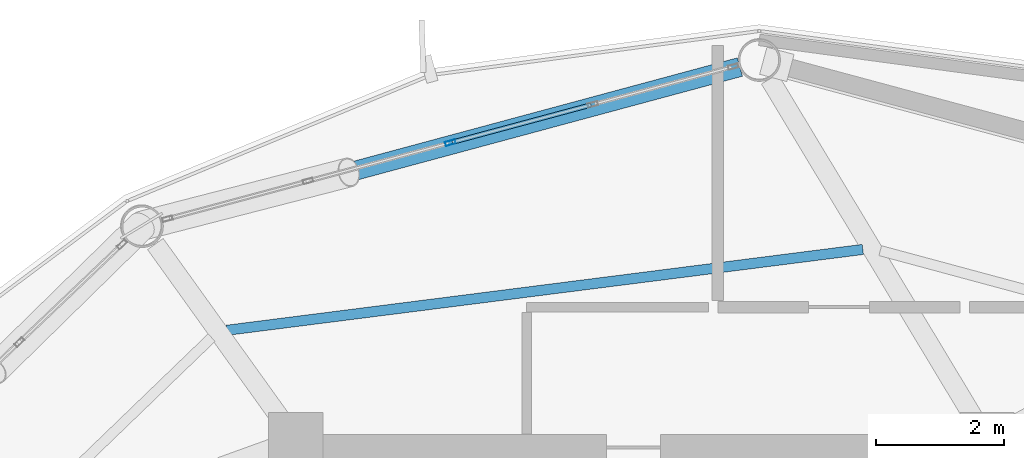
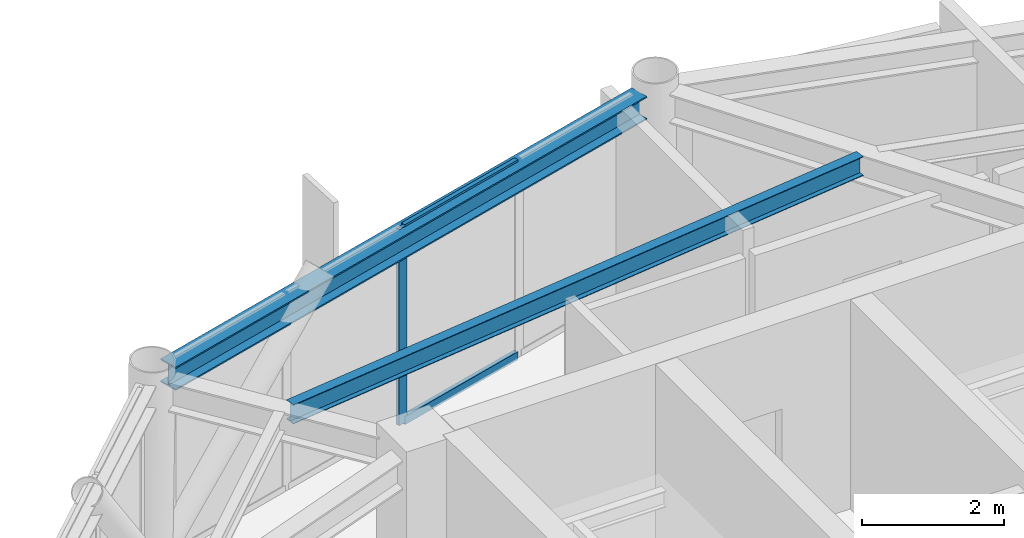
# One storey, part 19 of 28: 3 members, 2 beams, 1 element without a shape of its own.
"""IFC4 building model written with IfcOpenShell, lengths in metres."""

from ifc_helpers import new_model, si_unit, direction, frame, origin, origin_2d, place, context, subcontext, project, spatial, hollow_rectangle, i_section, extrude, material, layer, layer_set, material_profile, profile_set, type_object, element, aggregate, save


model = new_model("IFC4")

# Units and contexts
model_context = context("Model", 3, precision=1e-05, world=origin(), true_north=direction((0.0, 1.0)))
body_context = subcontext(model_context, "Body", "Model", "MODEL_VIEW")
ifc_project = project(units=[si_unit("LENGTHUNIT", "METRE"), si_unit("AREAUNIT", "SQUARE_METRE"), si_unit("VOLUMEUNIT", "CUBIC_METRE"), si_unit("PLANEANGLEUNIT", "RADIAN"), si_unit("MASSUNIT", "GRAM", prefix="KILO")], contexts=[model_context])

# Site, building, storey
site_placement = place(None, origin())
site = spatial("IfcSite", under=ifc_project, at=site_placement, CompositionType="ELEMENT")
building_placement = place(site_placement, origin())
building = spatial("IfcBuilding", under=site, at=building_placement, Name="Varnakorn Sky Granary", CompositionType="ELEMENT")
storey_placement = place(building_placement, frame((0.0, 0.0, 193.199951171875)))
storey = spatial("IfcBuildingStorey", under=building, at=storey_placement, Name="L48", CompositionType="ELEMENT", Elevation=193.199951171875)

# Beams
ifc_material_1 = material(Name="Steel S355JR", Category="steel")
ifc_material_profile_1 = material_profile(ifc_material_1, i_section(OverallWidth=0.159912109375, OverallDepth=0.330078125, WebThickness=0.007568359375, FlangeThickness=0.011474609375, at=origin_2d()), Name="IPE 330")
ifc_profile_set_1 = profile_set([ifc_material_profile_1], Name="Steel S355JR")
beam_type_1 = type_object("IfcBeamType", Name="BM-SEC-Z4", PredefinedType="BEAM", material=ifc_profile_set_1)
beam_1_placement = place(storey_placement, frame((6.472900390625, 15.6044921875, 3.195068359375), z_axis=(-0.992018305808, -0.126093936978, 0.0), x_axis=(0.126093936978, -0.992018305808, 0.0)))
element("IfcBeam", 1, at=beam_1_placement, inside=storey, type_object=beam_type_1, Name="Secondary Floor Chord Beam MSB04 L48", PredefinedType="BEAM", context=body_context, shape_type="SweptSolid", body=[
    extrude(i_section(OverallWidth=0.159912109375, OverallDepth=0.330078125, WebThickness=0.007568359375, FlangeThickness=0.011474609375, at=origin_2d()), origin(), (0.0, 0.0, 1.0), 10.052734375),
])
ifc_material_profile_2 = material_profile(ifc_material_1, i_section(OverallWidth=0.300048828125, OverallDepth=0.39990234375, WebThickness=0.013427734375, FlangeThickness=0.02392578125, at=origin_2d()), Name="HE 400 B")
ifc_profile_set_2 = profile_set([ifc_material_profile_2], Name="Steel S355JR")
beam_type_2 = type_object("IfcBeamType", Name="BM-SPD-Z4", PredefinedType="SPANDREL", material=ifc_profile_set_2)
beam_2_placement = place(storey_placement, frame((4.5458984375, 18.465087890625, 3.16015625), z_axis=(-0.965557364006, -0.260190270405, 0.0), x_axis=(0.260190270405, -0.965557364006, 0.0)))
element("IfcBeam", 2, at=beam_2_placement, inside=storey, type_object=beam_type_2, Name="Perimeter Spandrel Ring Beam RB04 L48", PredefinedType="SPANDREL", context=body_context, shape_type="SweptSolid", body=[
    extrude(i_section(OverallWidth=0.300048828125, OverallDepth=0.39990234375, WebThickness=0.013427734375, FlangeThickness=0.02392578125, at=origin_2d()), origin(), (0.0, 0.0, 1.0), 9.369140625),
])

# Curtain wall, members
ifc_material_2 = material(Name="Anodised Bronze Aluminium Alloy 6063-T6", Category="aluminium")
ifc_layer = layer(ifc_material_2, 0.169921875, Name="Anodised Bronze Aluminium Alloy 6063-T6")
ifc_layer_set = layer_set([ifc_layer], Name="Anodised Bronze Aluminium Alloy 6063-T6")
curtain_wall_type = type_object("IfcCurtainWallType", Name="CW-LAB-1", PredefinedType="USERDEFINED", material=ifc_layer_set)
curtain_wall_placement = place(storey_placement, origin())
curtain_wall = element("IfcCurtainWall", 3, at=curtain_wall_placement, inside=storey, type_object=curtain_wall_type, Name="Unitised Curtain Wall CW5 CW-L48-B04", ObjectType="CURTAIN WALL", PredefinedType="USERDEFINED")
ifc_material_profile_3 = material_profile(ifc_material_2, hollow_rectangle(XDim=0.06494140625, YDim=0.159912109375, WallThickness=0.00341796875, at=origin_2d()), Name="ALU MULL 65x160")
ifc_profile_set_3 = profile_set([ifc_material_profile_3], Name="Anodised Bronze Aluminium Alloy 6063-T6")
member_type_1 = type_object("IfcMemberType", Name="CW-LAB-1-MULL", PredefinedType="MULLION", material=ifc_profile_set_3)
member_1_placement = place(storey_placement, frame((0.006103515625, 17.27783203125, 0.0), z_axis=(0.0, 0.0, 1.0), x_axis=(-0.259789749164, 0.965665204007, 0.0)))
member_1 = element("IfcMember", 4, at=member_1_placement, type_object=member_type_1, Name="CW5 mullion 3", PredefinedType="MULLION", context=body_context, shape_type="SweptSolid", body=[
    extrude(hollow_rectangle(XDim=0.06494140625, YDim=0.159912109375, WallThickness=0.00341796875, at=origin_2d()), origin(), (0.0, 0.0, 1.0), 3.360107421875),
])
ifc_material_profile_4 = material_profile(ifc_material_2, hollow_rectangle(XDim=0.070068359375, YDim=0.139892578125, WallThickness=0.00341796875, at=origin_2d()), Name="ALU TRAN 70x140")
ifc_profile_set_4 = profile_set([ifc_material_profile_4], Name="Anodised Bronze Aluminium Alloy 6063-T6")
member_type_2 = type_object("IfcMemberType", Name="CW-LAB-1-TRAN", PredefinedType="USERDEFINED", material=ifc_profile_set_4)
member_2_placement = place(storey_placement, frame((0.037353515625, 17.286376953125, 0.03515625), z_axis=(0.96567026192, 0.259770947651, 0.0), x_axis=(-0.259770947651, 0.96567026192, 0.0)))
member_2 = element("IfcMember", 5, at=member_2_placement, type_object=member_type_2, Name="CW5 transom 3.1", ObjectType="TRANSOM", PredefinedType="USERDEFINED", context=body_context, shape_type="SweptSolid", body=[
    extrude(hollow_rectangle(XDim=0.070068359375, YDim=0.139892578125, WallThickness=0.00341796875, at=origin_2d()), origin(), (0.0, 0.0, 1.0), 2.248046875),
])
member_3_placement = place(storey_placement, frame((0.037353515625, 17.286376953125, 3.324951171875), z_axis=(0.96567026192, 0.259770947651, 0.0), x_axis=(-0.259770947651, 0.96567026192, 0.0)))
member_3 = element("IfcMember", 6, at=member_3_placement, type_object=member_type_2, Name="CW5 transom 3.2", ObjectType="TRANSOM", PredefinedType="USERDEFINED", context=body_context, shape_type="SweptSolid", body=[
    extrude(hollow_rectangle(XDim=0.070068359375, YDim=0.139892578125, WallThickness=0.00341796875, at=origin_2d()), origin(), (0.0, 0.0, 1.0), 2.248046875),
])
aggregate(curtain_wall, [member_1, member_2, member_3])

save(model, "model.ifc")
